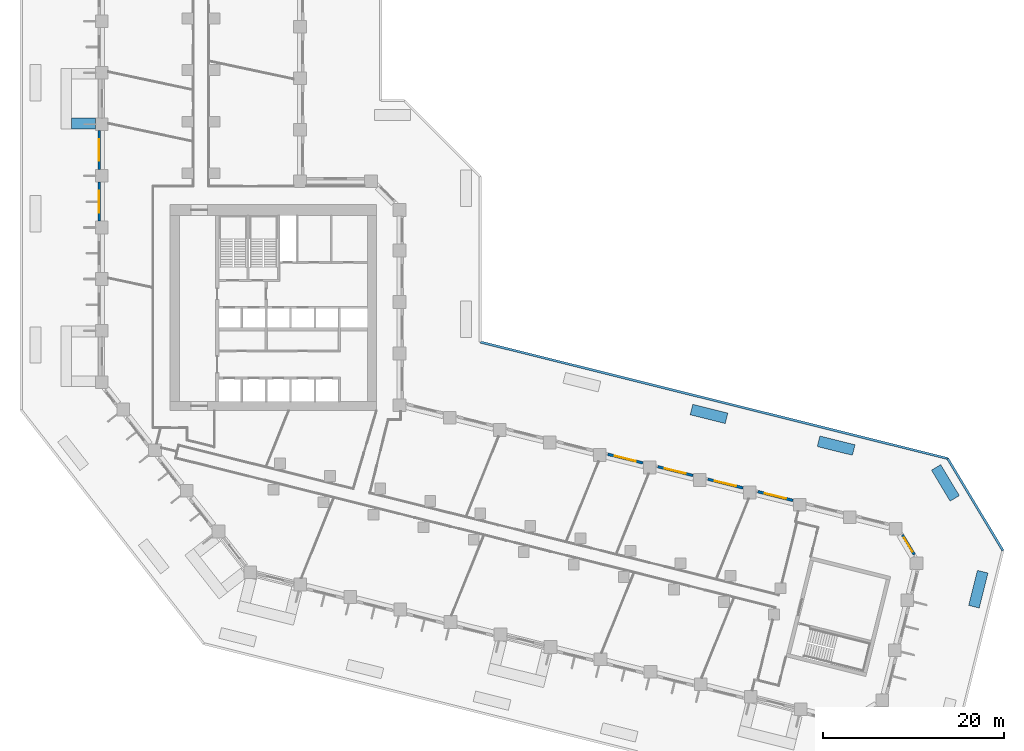
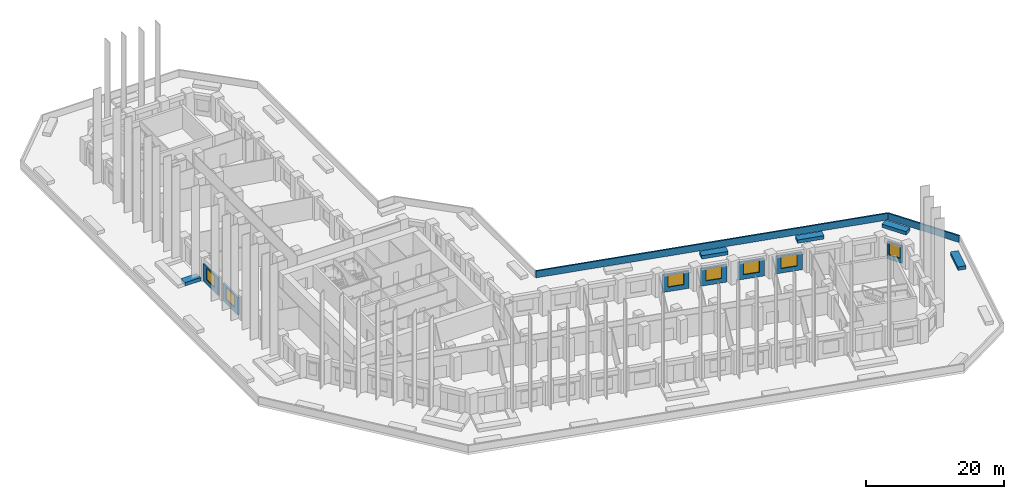
# One storey, part 8 of 13: 14 walls, 7 windows, 7 openings.
"""IFC4 building model written with IfcOpenShell, lengths in metres."""

from ifc_helpers import new_model, si_unit, direction, frame, frame_2d, origin, place, context, subcontext, project, spatial, rectangle, extrude, material, layer, layer_set, type_object, element, fill, save


model = new_model("IFC4")

# Units and contexts
model_context = context("Model", 3, precision=1e-05, world=origin(), true_north=direction((0.0, 1.0)))
body_context = subcontext(model_context, "Body", "Model", "MODEL_VIEW")
ifc_project = project(units=[si_unit("LENGTHUNIT", "METRE"), si_unit("AREAUNIT", "SQUARE_METRE"), si_unit("VOLUMEUNIT", "CUBIC_METRE"), si_unit("PLANEANGLEUNIT", "RADIAN"), si_unit("MASSUNIT", "GRAM", prefix="KILO")], contexts=[model_context])

# Site, building, storey
site_placement = place(None, origin())
site = spatial("IfcSite", under=ifc_project, at=site_placement, CompositionType="ELEMENT")
building_placement = place(site_placement, origin())
building = spatial("IfcBuilding", under=site, at=building_placement, Name="Meshkara Civic Tower", CompositionType="ELEMENT")
storey_placement = place(building_placement, frame((0.0, 0.0, 33.0)))
storey = spatial("IfcBuildingStorey", under=building, at=storey_placement, Name="L06", CompositionType="ELEMENT", Elevation=33.0)

# Wall, opening, window
ifc_material_1 = material(Name="Insulated infill panel with bronze anodised aluminium cladding", Category="aluminium")
ifc_layer_1 = layer(ifc_material_1, 0.300048828125)
ifc_layer_set_1 = layer_set([ifc_layer_1], Name="EXTERNAL INFILL WALL 300")
wall_type_1 = type_object("IfcWallType", Name="EXTERNAL INFILL WALL 300", PredefinedType="SOLIDWALL", material=ifc_layer_set_1)
wall_1_placement = place(storey_placement, frame((76.843994140625, 4.18408203125, 0.0), z_axis=(0.0, 0.0, 1.0), x_axis=(-0.970303772127, 0.241889623168, 0.0)))
wall_1 = element("IfcWall", 1, at=wall_1_placement, inside=storey, type_object=wall_type_1, Name="External wall", PredefinedType="SOLIDWALL", context=body_context, shape_type="SweptSolid", body=[
    extrude(rectangle(XDim=4.001953125, YDim=0.300048828125, at=frame_2d((2.0009765625, 0.0))), origin(), (0.0, 0.0, 1.0), 3.10009765625),
])
opening_1_placement = place(wall_1_placement, frame((0.801025390625, 0.0, 0.800048828125)))
opening_1 = element("IfcOpeningElement", 2, at=opening_1_placement, cuts=wall_1, Name="Opening W7", PredefinedType="OPENING", context=body_context, shape_type="SweptSolid", body=[
    extrude(rectangle(XDim=2.39990234375, YDim=2.10009765625, at=frame_2d((1.199951171875, 1.050048828125))), frame((0.0, 0.159912109375, 0.0), z_axis=(0.0, -1.0, 0.0), x_axis=(1.0, 0.0, 0.0)), (0.0, 0.0, 1.0), 0.320068359375),
])
ifc_material_2 = material(Name="Tinted double glazing", Category="glass")
window_type_1 = type_object("IfcWindowType", Name="WINDOW 2400x2100", PartitioningType="DOUBLE_PANEL_VERTICAL", PredefinedType="WINDOW", material=ifc_material_2)
window_1_placement = place(opening_1_placement, origin())
window_1 = element("IfcWindow", 3, at=window_1_placement, inside=storey, type_object=window_type_1, Name="Window", OverallHeight=2.10009765625, OverallWidth=2.39990234375, PartitioningType="DOUBLE_PANEL_VERTICAL", PredefinedType="WINDOW", context=body_context, shape_type="SweptSolid", body=[
    extrude(rectangle(XDim=2.39990234375, YDim=2.10009765625, at=frame_2d((1.199951171875, 1.050048828125))), frame((0.0, 0.030029296875, 0.0), z_axis=(0.0, -1.0, 0.0), x_axis=(1.0, 0.0, 0.0)), (0.0, 0.0, 1.0), 0.06005859375),
])
fill(opening_1, window_1)

wall_2_placement = place(storey_placement, frame((71.31396484375, 5.56298828125, 0.0), z_axis=(0.0, 0.0, 1.0), x_axis=(-0.970318045095, 0.24183236211, 0.0)))
wall_2 = element("IfcWall", 4, at=wall_2_placement, inside=storey, type_object=wall_type_1, Name="External wall", PredefinedType="SOLIDWALL", context=body_context, shape_type="SweptSolid", body=[
    extrude(rectangle(XDim=4.0029296875, YDim=0.300048828125, at=frame_2d((2.00146484375, 0.0))), origin(), (0.0, 0.0, 1.0), 3.10009765625),
])
opening_2_placement = place(wall_2_placement, frame((0.802001953125, 0.0, 0.800048828125)))
opening_2 = element("IfcOpeningElement", 5, at=opening_2_placement, cuts=wall_2, Name="Opening W7", PredefinedType="OPENING", context=body_context, shape_type="SweptSolid", body=[
    extrude(rectangle(XDim=2.39990234375, YDim=2.10009765625, at=frame_2d((1.199951171875, 1.050048828125))), frame((0.0, 0.159912109375, 0.0), z_axis=(0.0, -1.0, 0.0), x_axis=(1.0, 0.0, 0.0)), (0.0, 0.0, 1.0), 0.320068359375),
])
window_2_placement = place(opening_2_placement, origin())
window_2 = element("IfcWindow", 6, at=window_2_placement, inside=storey, type_object=window_type_1, Name="Window", OverallHeight=2.10009765625, OverallWidth=2.39990234375, PartitioningType="DOUBLE_PANEL_VERTICAL", PredefinedType="WINDOW", context=body_context, shape_type="SweptSolid", body=[
    extrude(rectangle(XDim=2.39990234375, YDim=2.10009765625, at=frame_2d((1.199951171875, 1.050048828125))), frame((0.0, 0.030029296875, 0.0), z_axis=(0.0, -1.0, 0.0), x_axis=(1.0, 0.0, 0.0)), (0.0, 0.0, 1.0), 0.06005859375),
])
fill(opening_2, window_2)

wall_3_placement = place(storey_placement, frame((65.782958984375, 6.94189453125, 0.0), z_axis=(0.0, 0.0, 1.0), x_axis=(-0.970318045095, 0.24183236211, 0.0)))
wall_3 = element("IfcWall", 7, at=wall_3_placement, inside=storey, type_object=wall_type_1, Name="External wall", PredefinedType="SOLIDWALL", context=body_context, shape_type="SweptSolid", body=[
    extrude(rectangle(XDim=4.0029296875, YDim=0.300048828125, at=frame_2d((2.00146484375, 0.0))), origin(), (0.0, 0.0, 1.0), 3.10009765625),
])
opening_3_placement = place(wall_3_placement, frame((0.802001953125, 0.0, 0.800048828125)))
opening_3 = element("IfcOpeningElement", 8, at=opening_3_placement, cuts=wall_3, Name="Opening W7", PredefinedType="OPENING", context=body_context, shape_type="SweptSolid", body=[
    extrude(rectangle(XDim=2.39990234375, YDim=2.10009765625, at=frame_2d((1.199951171875, 1.050048828125))), frame((0.0, 0.159912109375, 0.0), z_axis=(0.0, -1.0, 0.0), x_axis=(1.0, 0.0, 0.0)), (0.0, 0.0, 1.0), 0.320068359375),
])
window_3_placement = place(opening_3_placement, origin())
window_3 = element("IfcWindow", 9, at=window_3_placement, inside=storey, type_object=window_type_1, Name="Window", OverallHeight=2.10009765625, OverallWidth=2.39990234375, PartitioningType="DOUBLE_PANEL_VERTICAL", PredefinedType="WINDOW", context=body_context, shape_type="SweptSolid", body=[
    extrude(rectangle(XDim=2.39990234375, YDim=2.10009765625, at=frame_2d((1.199951171875, 1.050048828125))), frame((0.0, 0.030029296875, 0.0), z_axis=(0.0, -1.0, 0.0), x_axis=(1.0, 0.0, 0.0)), (0.0, 0.0, 1.0), 0.06005859375),
])
fill(opening_3, window_3)

wall_4_placement = place(storey_placement, frame((60.251953125, 8.321044921875, 0.0), z_axis=(0.0, 0.0, 1.0), x_axis=(-0.970303772127, 0.241889623168, 0.0)))
wall_4 = element("IfcWall", 10, at=wall_4_placement, inside=storey, type_object=wall_type_1, Name="External wall", PredefinedType="SOLIDWALL", context=body_context, shape_type="SweptSolid", body=[
    extrude(rectangle(XDim=4.001953125, YDim=0.300048828125, at=frame_2d((2.0009765625, 0.0))), origin(), (0.0, 0.0, 1.0), 3.10009765625),
])
opening_4_placement = place(wall_4_placement, frame((0.801025390625, 0.0, 0.800048828125)))
opening_4 = element("IfcOpeningElement", 11, at=opening_4_placement, cuts=wall_4, Name="Opening W7", PredefinedType="OPENING", context=body_context, shape_type="SweptSolid", body=[
    extrude(rectangle(XDim=2.39990234375, YDim=2.10009765625, at=frame_2d((1.199951171875, 1.050048828125))), frame((0.0, 0.159912109375, 0.0), z_axis=(0.0, -1.0, 0.0), x_axis=(1.0, 0.0, 0.0)), (0.0, 0.0, 1.0), 0.320068359375),
])
window_4_placement = place(opening_4_placement, origin())
window_4 = element("IfcWindow", 12, at=window_4_placement, inside=storey, type_object=window_type_1, Name="Window", OverallHeight=2.10009765625, OverallWidth=2.39990234375, PartitioningType="DOUBLE_PANEL_VERTICAL", PredefinedType="WINDOW", context=body_context, shape_type="SweptSolid", body=[
    extrude(rectangle(XDim=2.39990234375, YDim=2.10009765625, at=frame_2d((1.199951171875, 1.050048828125))), frame((0.0, 0.030029296875, 0.0), z_axis=(0.0, -1.0, 0.0), x_axis=(1.0, 0.0, 0.0)), (0.0, 0.0, 1.0), 0.06005859375),
])
fill(opening_4, window_4)

wall_5_placement = place(storey_placement, frame((0.14990234375, 45.054931640625, 0.0), z_axis=(0.0, 0.0, 1.0), x_axis=(0.0, -1.0, 0.0)))
wall_5 = element("IfcWall", 13, at=wall_5_placement, inside=storey, type_object=wall_type_1, Name="External wall", PredefinedType="SOLIDWALL", context=body_context, shape_type="SweptSolid", body=[
    extrude(rectangle(XDim=4.300048828125, YDim=0.300048828125, at=frame_2d((2.14990234375, 0.0))), origin(), (0.0, 0.0, 1.0), 3.10009765625),
])
opening_5_placement = place(wall_5_placement, frame((0.949951171875, 0.0, 0.800048828125)))
opening_5 = element("IfcOpeningElement", 14, at=opening_5_placement, cuts=wall_5, Name="Opening W7", PredefinedType="OPENING", context=body_context, shape_type="SweptSolid", body=[
    extrude(rectangle(XDim=2.39990234375, YDim=2.10009765625, at=frame_2d((1.199951171875, 1.050048828125))), frame((0.0, 0.159912109375, 0.0), z_axis=(0.0, -1.0, 0.0), x_axis=(1.0, 0.0, 0.0)), (0.0, 0.0, 1.0), 0.320068359375),
])
window_5_placement = place(opening_5_placement, origin())
window_5 = element("IfcWindow", 15, at=window_5_placement, inside=storey, type_object=window_type_1, Name="Window", OverallHeight=2.10009765625, OverallWidth=2.39990234375, PartitioningType="DOUBLE_PANEL_VERTICAL", PredefinedType="WINDOW", context=body_context, shape_type="SweptSolid", body=[
    extrude(rectangle(XDim=2.39990234375, YDim=2.10009765625, at=frame_2d((1.199951171875, 1.050048828125))), frame((0.0, 0.030029296875, 0.0), z_axis=(0.0, -1.0, 0.0), x_axis=(1.0, 0.0, 0.0)), (0.0, 0.0, 1.0), 0.06005859375),
])
fill(opening_5, window_5)

wall_6_placement = place(storey_placement, frame((0.14990234375, 39.35498046875, 0.0), z_axis=(0.0, 0.0, 1.0), x_axis=(0.0, -1.0, 0.0)))
wall_6 = element("IfcWall", 16, at=wall_6_placement, inside=storey, type_object=wall_type_1, Name="External wall", PredefinedType="SOLIDWALL", context=body_context, shape_type="SweptSolid", body=[
    extrude(rectangle(XDim=4.300048828125, YDim=0.300048828125, at=frame_2d((2.14990234375, 0.0))), origin(), (0.0, 0.0, 1.0), 3.10009765625),
])
opening_6_placement = place(wall_6_placement, frame((0.949951171875, 0.0, 0.800048828125)))
opening_6 = element("IfcOpeningElement", 17, at=opening_6_placement, cuts=wall_6, Name="Opening W7", PredefinedType="OPENING", context=body_context, shape_type="SweptSolid", body=[
    extrude(rectangle(XDim=2.39990234375, YDim=2.10009765625, at=frame_2d((1.199951171875, 1.050048828125))), frame((0.0, 0.159912109375, 0.0), z_axis=(0.0, -1.0, 0.0), x_axis=(1.0, 0.0, 0.0)), (0.0, 0.0, 1.0), 0.320068359375),
])
window_6_placement = place(opening_6_placement, origin())
window_6 = element("IfcWindow", 18, at=window_6_placement, inside=storey, type_object=window_type_1, Name="Window", OverallHeight=2.10009765625, OverallWidth=2.39990234375, PartitioningType="DOUBLE_PANEL_VERTICAL", PredefinedType="WINDOW", context=body_context, shape_type="SweptSolid", body=[
    extrude(rectangle(XDim=2.39990234375, YDim=2.10009765625, at=frame_2d((1.199951171875, 1.050048828125))), frame((0.0, 0.030029296875, 0.0), z_axis=(0.0, -1.0, 0.0), x_axis=(1.0, 0.0, 0.0)), (0.0, 0.0, 1.0), 0.06005859375),
])
fill(opening_6, window_6)

wall_7_placement = place(storey_placement, frame((90.248046875, -1.801025390625, 0.0), z_axis=(0.0, 0.0, 1.0), x_axis=(-0.515441886055, 0.856924536992, 0.0)))
wall_7 = element("IfcWall", 19, at=wall_7_placement, inside=storey, type_object=wall_type_1, Name="External wall", PredefinedType="SOLIDWALL", context=body_context, shape_type="SweptSolid", body=[
    extrude(rectangle(XDim=2.54150390625, YDim=0.300048828125, at=frame_2d((1.270751953125, 0.0))), origin(), (0.0, 0.0, 1.0), 3.10009765625),
])
opening_7_placement = place(wall_7_placement, frame((0.37109375, 0.0, 0.800048828125)))
opening_7 = element("IfcOpeningElement", 20, at=opening_7_placement, cuts=wall_7, Name="Opening W9", PredefinedType="OPENING", context=body_context, shape_type="SweptSolid", body=[
    extrude(rectangle(XDim=1.800048828125, YDim=2.10009765625, at=frame_2d((0.89990234375, 1.050048828125))), frame((0.0, 0.159912109375, 0.0), z_axis=(0.0, -1.0, 0.0), x_axis=(1.0, 0.0, 0.0)), (0.0, 0.0, 1.0), 0.320068359375),
])
ifc_material_3 = material(Name="Tinted double glazing", Category="glass")
window_type_2 = type_object("IfcWindowType", Name="WINDOW 1800x2100", PartitioningType="DOUBLE_PANEL_VERTICAL", PredefinedType="WINDOW", material=ifc_material_3)
window_7_placement = place(opening_7_placement, origin())
window_7 = element("IfcWindow", 21, at=window_7_placement, inside=storey, type_object=window_type_2, Name="Window", OverallHeight=2.10009765625, OverallWidth=1.800048828125, PartitioningType="DOUBLE_PANEL_VERTICAL", PredefinedType="WINDOW", context=body_context, shape_type="SweptSolid", body=[
    extrude(rectangle(XDim=1.800048828125, YDim=2.10009765625, at=frame_2d((0.89990234375, 1.050048828125))), frame((0.0, 0.030029296875, 0.0), z_axis=(0.0, -1.0, 0.0), x_axis=(1.0, 0.0, 0.0)), (0.0, 0.0, 1.0), 0.06005859375),
])
fill(opening_7, window_7)

# Walls
ifc_material_4 = material(Name="Concrete C40", Category="concrete")
ifc_layer_2 = layer(ifc_material_4, 1.199951171875)
ifc_layer_set_2 = layer_set([ifc_layer_2], Name="PLANTING BED")
wall_type_2 = type_object("IfcWallType", Name="PLANTING BED", PredefinedType="SOLIDWALL", material=ifc_layer_set_2)
wall_8_placement = place(storey_placement, frame((65.618896484375, 14.22802734375, 0.0), z_axis=(0.0, 0.0, 1.0), x_axis=(0.970275195755, -0.242004224141, 0.0)))
element("IfcWall", 22, at=wall_8_placement, inside=storey, type_object=wall_type_2, Name="Planting bed", PredefinedType="SOLIDWALL", context=body_context, shape_type="SweptSolid", body=[
    extrude(rectangle(XDim=4.0, YDim=1.199951171875, at=frame_2d((2.0, 0.0))), origin(), (0.0, 0.0, 1.0), 0.60009765625),
])
wall_9_placement = place(storey_placement, frame((79.674072265625, 10.722900390625, 0.0), z_axis=(0.0, 0.0, 1.0), x_axis=(0.970285916654, -0.241961236449, 0.0)))
element("IfcWall", 23, at=wall_9_placement, inside=storey, type_object=wall_type_2, Name="Planting bed", PredefinedType="SOLIDWALL", context=body_context, shape_type="SweptSolid", body=[
    extrude(rectangle(XDim=4.000732421875, YDim=1.199951171875, at=frame_2d((2.00048828125, 0.0))), origin(), (0.0, 0.0, 1.0), 0.60009765625),
])
wall_10_placement = place(storey_placement, frame((92.659912109375, 7.8310546875, 0.0), z_axis=(0.0, 0.0, 1.0), x_axis=(0.515276459823, -0.857024019472, 0.0)))
element("IfcWall", 24, at=wall_10_placement, inside=storey, type_object=wall_type_2, Name="Planting bed", PredefinedType="SOLIDWALL", context=body_context, shape_type="SweptSolid", body=[
    extrude(rectangle(XDim=3.999755859375, YDim=1.199951171875, at=frame_2d((2.0, 0.0))), origin(), (0.0, 0.0, 1.0), 0.60009765625),
])
wall_11_placement = place(storey_placement, frame((97.81201171875, -3.69091796875, 0.0), z_axis=(0.0, 0.0, 1.0), x_axis=(-0.241717095706, -0.970346765669, 0.0)))
element("IfcWall", 25, at=wall_11_placement, inside=storey, type_object=wall_type_2, Name="Planting bed", PredefinedType="SOLIDWALL", context=body_context, shape_type="SweptSolid", body=[
    extrude(rectangle(XDim=4.000732421875, YDim=1.199951171875, at=frame_2d((2.00048828125, 0.0))), origin(), (0.0, 0.0, 1.0), 0.60009765625),
])
wall_12_placement = place(storey_placement, frame((-0.25, 45.85498046875, 0.0), z_axis=(0.0, 0.0, 1.0), x_axis=(-1.0, 0.0, 0.0)))
element("IfcWall", 26, at=wall_12_placement, inside=storey, type_object=wall_type_2, Name="Planting bed", PredefinedType="SOLIDWALL", context=body_context, shape_type="SweptSolid", body=[
    extrude(rectangle(XDim=2.64990234375, YDim=1.199951171875, at=frame_2d((1.324951171875, 0.0))), origin(), (0.0, 0.0, 1.0), 0.60009765625),
])
ifc_material_5 = material(Name="Concrete C40", Category="concrete")
ifc_layer_3 = layer(ifc_material_5, 0.25)
ifc_layer_set_3 = layer_set([ifc_layer_3], Name="ROOF PARAPET 250")
wall_type_3 = type_object("IfcWallType", Name="ROOF PARAPET 250", PredefinedType="PARAPET", material=ifc_layer_set_3)
wall_13_placement = place(storey_placement, frame((42.280029296875, 21.696044921875, 0.0), z_axis=(0.0, 0.0, 1.0), x_axis=(0.970290956727, -0.241941024412, 0.0)))
element("IfcWall", 27, at=wall_13_placement, inside=storey, type_object=wall_type_3, Name="Roof parapet", PredefinedType="PARAPET", context=body_context, shape_type="SweptSolid", body=[
    extrude(rectangle(XDim=53.236572265625, YDim=0.25, at=frame_2d((26.6181640625, 0.0))), origin(), (0.0, 0.0, 1.0), 1.199951171875),
])
wall_14_placement = place(storey_placement, frame((93.93505859375, 8.81591796875, 0.0), z_axis=(0.0, 0.0, 1.0), x_axis=(0.515131291605, -0.857111283562, 0.0)))
element("IfcWall", 28, at=wall_14_placement, inside=storey, type_object=wall_type_3, Name="Roof parapet", PredefinedType="PARAPET", context=body_context, shape_type="SweptSolid", body=[
    extrude(rectangle(XDim=11.86083984375, YDim=0.25, at=frame_2d((5.930419921875, 0.0))), origin(), (0.0, 0.0, 1.0), 1.199951171875),
])

save(model, "model.ifc")
